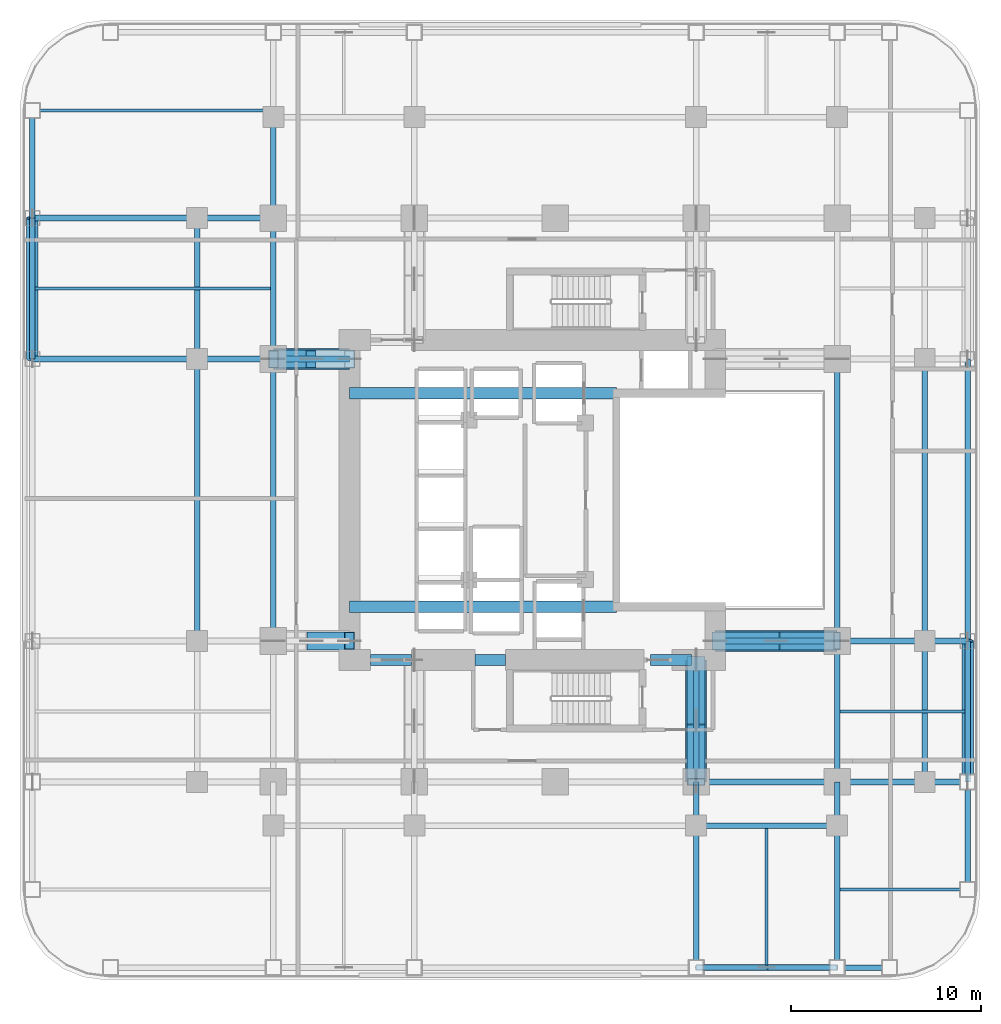
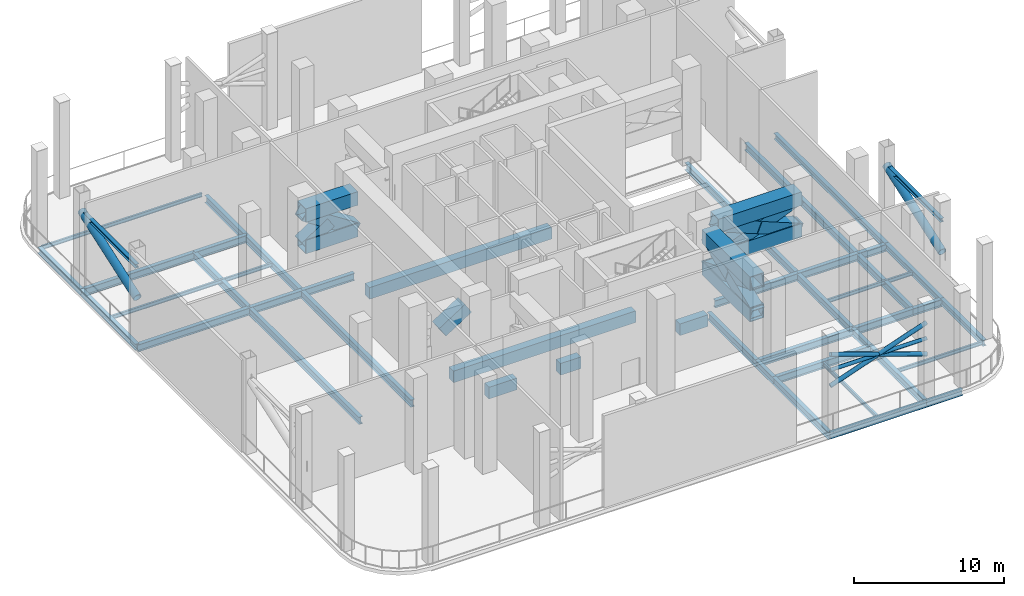
# One storey, part 2 of 11: 43 beams, 23 members.
"""IFC4 building model written with IfcOpenShell, lengths in metres."""

import ifcopenshell
import ifcopenshell.guid

model = None  # the IFC model being written
_history = None  # IfcOwnerHistory: only IFC2X3 demands one
_inside = {}  # id of a spatial element -> (the spatial element, [elements in it])
_under = {}  # id of a project, library or spatial element -> (it, [spatial elements below it])
_declared = {}  # id of a project -> (the project, [libraries it declares])
_typed = {}  # id of a type object -> (the type object, [elements of that type])
_made_of = {}  # id of a material, layer set ... -> (it, [elements and type objects made of it])


def new_model(schema):
    """Start an empty IFC model of exactly this schema.

    Asked for "IFC4X3", IfcOpenShell would pick the latest addendum, in which some entities
    have other attributes; the version numbers below select the first issue.
    IFC2X3 requires an IfcOwnerHistory on every rooted entity: one is made here for all.
    """
    global model, _history
    if schema == "IFC4X3":
        model = ifcopenshell.file(schema_version=(4, 3, 0, 0))
    else:
        model = ifcopenshell.file(schema=schema)
    _inside.clear()
    _under.clear()
    _declared.clear()
    _typed.clear()
    _made_of.clear()
    _history = None
    if model.schema == "IFC2X3":
        org = make("IfcOrganization", Name="unknown")
        user = make(
            "IfcPersonAndOrganization",
            ThePerson=make("IfcPerson", FamilyName="unknown"),
            TheOrganization=org,
        )
        app = make(
            "IfcApplication",
            ApplicationDeveloper=org,
            Version="unknown",
            ApplicationFullName="unknown",
            ApplicationIdentifier="unknown",
        )
        _history = make(
            "IfcOwnerHistory",
            OwningUser=user,
            OwningApplication=app,
            ChangeAction="ADDED",
            CreationDate=0,
        )
    return model


def make(cls, **values):
    """One entity of the class cls with the attributes given. An attribute that is None is left unset."""
    return model.create_entity(
        cls, **{name: value for name, value in values.items() if value is not None}
    )


def rooted(cls, **values):
    """An entity with a GlobalId (a new one), such as an element, a storey or a relation."""
    return make(cls, GlobalId=ifcopenshell.guid.new(), OwnerHistory=_history, **values)


def si_unit(unit_type, name, prefix=None):
    """IfcSIUnit, for example si_unit("LENGTHUNIT", "METRE", prefix="MILLI")."""
    return make("IfcSIUnit", UnitType=unit_type, Prefix=prefix, Name=name)


def assignment(units):
    """IfcUnitAssignment: the units of a project."""
    return None if units is None else make("IfcUnitAssignment", Units=units)


def point(xyz):
    """IfcCartesianPoint."""
    return None if xyz is None else make("IfcCartesianPoint", Coordinates=xyz)


def direction(xyz):
    """IfcDirection."""
    return None if xyz is None else make("IfcDirection", DirectionRatios=xyz)


def frame(location, z_axis=None, x_axis=None):
    """IfcAxis2Placement3D, a coordinate frame: its origin and axes. An axis left out is left unset."""
    return make(
        "IfcAxis2Placement3D",
        Location=point(location),
        Axis=direction(z_axis),
        RefDirection=direction(x_axis),
    )


def frame_2d(location, x_axis=None):
    """IfcAxis2Placement2D, a coordinate frame in the plane: its origin and x axis."""
    return make(
        "IfcAxis2Placement2D", Location=point(location), RefDirection=direction(x_axis)
    )


def origin():
    """The frame at (0, 0, 0) with its axes left unset."""
    return frame((0.0, 0.0, 0.0))


def origin_2d():
    """The frame at (0, 0) in the plane with its x axis left unset."""
    return frame_2d((0.0, 0.0))


def place(relative_to, where):
    """IfcLocalPlacement: puts the frame where relative to a parent placement (None: the world)."""
    return make(
        "IfcLocalPlacement", PlacementRelTo=relative_to, RelativePlacement=where
    )


def context(
    kind, dimensions, precision=None, world=None, true_north=None, identifier=None
):
    """IfcGeometricRepresentationContext, for example the 3D "Model" context."""
    return make(
        "IfcGeometricRepresentationContext",
        ContextIdentifier=identifier,
        ContextType=kind,
        CoordinateSpaceDimension=dimensions,
        Precision=precision,
        WorldCoordinateSystem=world,
        TrueNorth=true_north,
    )


def subcontext(parent, identifier, kind, view, scale=None):
    """IfcGeometricRepresentationSubContext, for example "Body" below "Model"."""
    return make(
        "IfcGeometricRepresentationSubContext",
        ContextIdentifier=identifier,
        ContextType=kind,
        ParentContext=parent,
        TargetScale=scale,
        TargetView=view,
    )


def project(units=None, contexts=None):
    """IfcProject with its units and contexts."""
    return rooted(
        "IfcProject",
        Name="project",
        RepresentationContexts=contexts,
        UnitsInContext=assignment(units),
    )


def spatial(cls, under=None, at=None, **own):
    """A site, building, storey or space (cls), placed at a placement, below another one or the project."""
    s = rooted(cls, ObjectPlacement=at, **own)
    if under is not None:
        _under.setdefault(under.id(), (under, []))[1].append(s)
    return s


def profile(cls, at=None, kind="AREA", **sizes):
    """A parametric profile (cls). Its sizes go by their IFC names, for example OverallWidth=200.0."""
    return make(cls, ProfileType=kind, Position=at, **sizes)


def rectangle(**sizes):
    """IfcRectangleProfileDef."""
    return profile("IfcRectangleProfileDef", **sizes)


def hollow_rectangle(**sizes):
    """IfcRectangleHollowProfileDef."""
    return profile("IfcRectangleHollowProfileDef", **sizes)


def hollow_circle(**sizes):
    """IfcCircleHollowProfileDef."""
    return profile("IfcCircleHollowProfileDef", **sizes)


def i_section(**sizes):
    """IfcIShapeProfileDef."""
    return profile("IfcIShapeProfileDef", **sizes)


def extrude(swept, where, along, depth):
    """IfcExtrudedAreaSolid: the profile swept, set in the frame where, extruded along a direction by depth."""
    return make(
        "IfcExtrudedAreaSolid",
        SweptArea=swept,
        Position=where,
        ExtrudedDirection=direction(along),
        Depth=depth,
    )


def shape(context_of_items, identifier, shape_type, items):
    """IfcShapeRepresentation: the items that make up one representation, for example the "Body"."""
    return make(
        "IfcShapeRepresentation",
        ContextOfItems=context_of_items,
        RepresentationIdentifier=identifier,
        RepresentationType=shape_type,
        Items=items,
    )


def material(Name=None, Category=None):
    """IfcMaterial."""
    return make("IfcMaterial", Name=Name, Category=Category)


def material_profile(
    of_material, cross_section, Name=None, Category=None, Priority=None
):
    """IfcMaterialProfile: a cross section and its material."""
    return make(
        "IfcMaterialProfile",
        Name=Name,
        Material=of_material,
        Profile=cross_section,
        Priority=Priority,
        Category=Category,
    )


def profile_set(profiles, Name=None, composite=None):
    """IfcMaterialProfileSet."""
    return make(
        "IfcMaterialProfileSet",
        Name=Name,
        MaterialProfiles=profiles,
        CompositeProfile=composite,
    )


def made_of(thing, what):
    """Note that an element or type object is made of a material, layer set ...; save() writes the relation."""
    if what is not None:
        _made_of.setdefault(what.id(), (what, []))[1].append(thing)
    return thing


def type_object(cls, material=None, **own):
    """A type object (cls), such as IfcWallType, which elements share."""
    return made_of(rooted(cls, **own), material)


def element(
    cls,
    number,
    at=None,
    inside=None,
    cuts=None,
    type_object=None,
    material=None,
    context=None,
    identifier="Body",
    shape_type=None,
    held_by="IfcProductDefinitionShape",
    body=None,
    shapes=None,
    **own,
):
    """One element of the class cls, such as IfcWall. Its Tag is "e" and its number.

    at: its placement. inside: the storey or other place that contains it. cuts: it is an
    opening in that element (IfcRelVoidsElement). A single representation is given by context,
    identifier, shape_type and body (its items); several are given by shapes. held_by: the class
    of the entity that holds the representations. save() writes the other relations.
    """
    e = rooted(cls, Tag="e%d" % number, ObjectPlacement=at, **own)
    if body is not None:
        shapes = [shape(context, identifier, shape_type, body)]
    if shapes is not None:
        e.Representation = make(held_by, Representations=shapes)
    if inside is not None:
        _inside.setdefault(inside.id(), (inside, []))[1].append(e)
    if cuts is not None:
        rooted(
            "IfcRelVoidsElement", RelatingBuildingElement=cuts, RelatedOpeningElement=e
        )
    if type_object is not None:
        _typed.setdefault(type_object.id(), (type_object, []))[1].append(e)
    return made_of(e, material)


def aggregate(whole, parts):
    """IfcRelAggregates: a whole, such as a stair, and the parts it consists of."""
    return rooted("IfcRelAggregates", RelatingObject=whole, RelatedObjects=parts)


def save(model, path):
    """Write the relations noted so far, then the file.

    IfcRelAggregates (storeys below a building ...), IfcRelContainedInSpatialStructure (elements
    in a storey), IfcRelDefinesByType, IfcRelAssociatesMaterial and IfcRelDeclares: one each for
    every whole, place, type object, material and project.
    """
    for whole, parts in _under.values():
        aggregate(whole, parts)
    for where, things in _inside.values():
        rooted(
            "IfcRelContainedInSpatialStructure",
            RelatedElements=things,
            RelatingStructure=where,
        )
    for kind, things in _typed.values():
        rooted("IfcRelDefinesByType", RelatedObjects=things, RelatingType=kind)
    for what, things in _made_of.values():
        rooted("IfcRelAssociatesMaterial", RelatedObjects=things, RelatingMaterial=what)
    for by, libraries in _declared.values():
        rooted("IfcRelDeclares", RelatingContext=by, RelatedDefinitions=libraries)
    model.write(path)


model = new_model("IFC4")

# Units and contexts
model_context = context("Model", 3, precision=1e-05, world=origin(), true_north=direction((0.0, 1.0)))
body_context = subcontext(model_context, "Body", "Model", "MODEL_VIEW")
ifc_project = project(units=[si_unit("LENGTHUNIT", "METRE"), si_unit("AREAUNIT", "SQUARE_METRE"), si_unit("VOLUMEUNIT", "CUBIC_METRE"), si_unit("PLANEANGLEUNIT", "RADIAN"), si_unit("MASSUNIT", "GRAM", prefix="KILO")], contexts=[model_context])

# Site, building, storey
site_placement = place(None, origin())
site = spatial("IfcSite", under=ifc_project, at=site_placement, CompositionType="ELEMENT")
building_placement = place(site_placement, origin())
building = spatial("IfcBuilding", under=site, at=building_placement, Name="Khorvyn Point Tower", CompositionType="ELEMENT")
storey_placement = place(building_placement, frame((0.0, 0.0, 77.39990234375)))
storey = spatial("IfcBuildingStorey", under=building, at=storey_placement, Name="L20", CompositionType="ELEMENT", Elevation=77.39990234375)

# Beams
ifc_material_1 = material(Name="Concrete C50/60", Category="concrete")
ifc_material_profile_1 = material_profile(ifc_material_1, rectangle(XDim=0.60009765625, YDim=0.949951171875, at=origin_2d()))
ifc_profile_set_1 = profile_set([ifc_material_profile_1], Name="Concrete C50/60 RC600x950")
beam_type_1 = type_object("IfcBeamType", Name="Concrete C50/60 Beam RC600x950", PredefinedType="BEAM", material=ifc_profile_set_1)
for number, where, z_axis, x_axis, name in (
    (1, (-10.800048828125, -5.60009765625, -0.77490234375), (1.0, 0.0, 0.0), (0.0, 1.0, 0.0), "L20 Core Internal Tie Girder S"),
    (2, (-10.800048828125, 5.60009765625, -0.77490234375), (1.0, 0.0, 0.0), (0.0, 1.0, 0.0), "L20 Core Internal Tie Girder N"),
):
    element("IfcBeam", number, at=place(storey_placement, frame(where, z_axis=z_axis, x_axis=x_axis)), inside=storey, type_object=beam_type_1, Name=name, PredefinedType="BEAM", context=body_context, shape_type="SweptSolid", body=[
        extrude(rectangle(XDim=0.60009765625, YDim=0.949951171875, at=origin_2d()), origin(), (0.0, 0.0, 1.0), 14.02001953125),
    ])
beam_1_placement = place(storey_placement, frame((-9.699951171875, -8.39990234375, -0.77490234375), z_axis=(1.0, 0.0, 0.0), x_axis=(0.0, 1.0, 0.0)))
element("IfcBeam", 3, at=beam_1_placement, inside=storey, type_object=beam_type_1, Name="L20 Core Southwest Portal Coupling Beam", PredefinedType="BEAM", context=body_context, shape_type="SweptSolid", body=[
    extrude(rectangle(XDim=0.60009765625, YDim=0.949951171875, at=origin_2d()), origin(), (0.0, 0.0, 1.0), 2.14990234375),
])
beam_2_placement = place(storey_placement, frame((-4.199951171875, -8.39990234375, -0.77490234375), z_axis=(1.0, 0.0, 0.0), x_axis=(0.0, 1.0, 0.0)))
element("IfcBeam", 4, at=beam_2_placement, inside=storey, type_object=beam_type_1, Name="L20 Core Shuttle Portal Coupling Beam", PredefinedType="BEAM", context=body_context, shape_type="SweptSolid", body=[
    extrude(rectangle(XDim=0.60009765625, YDim=0.949951171875, at=origin_2d()), origin(), (0.0, 0.0, 1.0), 1.579833984375),
])
beam_3_placement = place(storey_placement, frame((5.0, -8.39990234375, -0.77490234375), z_axis=(1.0, 0.0, 0.0), x_axis=(0.0, 1.0, 0.0)))
element("IfcBeam", 5, at=beam_3_placement, inside=storey, type_object=beam_type_1, Name="L20 Core Southeast Portal Coupling Beam", PredefinedType="BEAM", context=body_context, shape_type="SweptSolid", body=[
    extrude(rectangle(XDim=0.60009765625, YDim=0.949951171875, at=origin_2d()), origin(), (0.0, 0.0, 1.0), 2.14990234375),
])
ifc_material_2 = material(Name="Steel S355", Category="steel")
ifc_material_profile_2 = material_profile(ifc_material_2, i_section(OverallWidth=0.300048828125, OverallDepth=0.587890625, WebThickness=0.011962890625, FlangeThickness=0.02001953125, at=origin_2d()))
ifc_profile_set_2 = profile_set([ifc_material_profile_2], Name="Steel S355 H588x300x12x20")
beam_type_2 = type_object("IfcBeamType", Name="Steel S355 Beam H588x300x12x20", PredefinedType="BEAM", material=ifc_profile_set_2)
beam_4_placement = place(storey_placement, frame((7.39990234375, -14.800048828125, -0.593994140625), z_axis=(1.0, 0.0, 0.0), x_axis=(0.0, 1.0, 0.0)))
element("IfcBeam", 6, at=beam_4_placement, inside=storey, type_object=beam_type_2, Name="Beam", PredefinedType="BEAM", context=body_context, shape_type="SweptSolid", body=[
    extrude(i_section(OverallWidth=0.300048828125, OverallDepth=0.587890625, WebThickness=0.011962890625, FlangeThickness=0.02001953125, at=origin_2d()), origin(), (0.0, 0.0, 1.0), 7.400146484375),
])
beam_5_placement = place(storey_placement, frame((14.800048828125, -14.800048828125, -0.593994140625), z_axis=(1.0, 0.0, 0.0), x_axis=(0.0, 1.0, 0.0)))
element("IfcBeam", 7, at=beam_5_placement, inside=storey, type_object=beam_type_2, Name="Beam", PredefinedType="BEAM", context=body_context, shape_type="SweptSolid", body=[
    extrude(i_section(OverallWidth=0.300048828125, OverallDepth=0.587890625, WebThickness=0.011962890625, FlangeThickness=0.02001953125, at=origin_2d()), origin(), (0.0, 0.0, 1.0), 4.599853515625),
])
beam_6_placement = place(storey_placement, frame((19.39990234375, -14.800048828125, -0.593994140625), z_axis=(1.0, 0.0, 0.0), x_axis=(0.0, 1.0, 0.0)))
element("IfcBeam", 8, at=beam_6_placement, inside=storey, type_object=beam_type_2, Name="Beam", PredefinedType="BEAM", context=body_context, shape_type="SweptSolid", body=[
    extrude(i_section(OverallWidth=0.300048828125, OverallDepth=0.587890625, WebThickness=0.011962890625, FlangeThickness=0.02001953125, at=origin_2d()), origin(), (0.0, 0.0, 1.0), 2.25),
])
beam_7_placement = place(storey_placement, frame((-27.449951171875, 14.800048828125, -0.593994140625), z_axis=(1.0, 0.0, 0.0), x_axis=(0.0, 1.0, 0.0)))
element("IfcBeam", 9, at=beam_7_placement, inside=storey, type_object=beam_type_2, Name="Beam", PredefinedType="BEAM", context=body_context, shape_type="SweptSolid", body=[
    extrude(i_section(OverallWidth=0.300048828125, OverallDepth=0.587890625, WebThickness=0.011962890625, FlangeThickness=0.02001953125, at=origin_2d()), origin(), (0.0, 0.0, 1.0), 8.64990234375),
])
beam_8_placement = place(storey_placement, frame((-18.800048828125, 14.800048828125, -0.593994140625), z_axis=(1.0, 0.0, 0.0), x_axis=(0.0, 1.0, 0.0)))
element("IfcBeam", 10, at=beam_8_placement, inside=storey, type_object=beam_type_2, Name="Beam", PredefinedType="BEAM", context=body_context, shape_type="SweptSolid", body=[
    extrude(i_section(OverallWidth=0.300048828125, OverallDepth=0.587890625, WebThickness=0.011962890625, FlangeThickness=0.02001953125, at=origin_2d()), origin(), (0.0, 0.0, 1.0), 4.0),
])
beam_9_placement = place(storey_placement, frame((8.39990234375, -7.39990234375, -0.593994140625), z_axis=(1.0, 0.0, 0.0), x_axis=(0.0, 1.0, 0.0)))
element("IfcBeam", 11, at=beam_9_placement, inside=storey, type_object=beam_type_2, Name="Beam", PredefinedType="BEAM", context=body_context, shape_type="SweptSolid", body=[
    extrude(i_section(OverallWidth=0.300048828125, OverallDepth=0.587890625, WebThickness=0.011962890625, FlangeThickness=0.02001953125, at=origin_2d()), origin(), (0.0, 0.0, 1.0), 6.400146484375),
])
beam_10_placement = place(storey_placement, frame((14.800048828125, -7.39990234375, -0.593994140625), z_axis=(1.0, 0.0, 0.0), x_axis=(0.0, 1.0, 0.0)))
element("IfcBeam", 12, at=beam_10_placement, inside=storey, type_object=beam_type_2, Name="Beam", PredefinedType="BEAM", context=body_context, shape_type="SweptSolid", body=[
    extrude(i_section(OverallWidth=0.300048828125, OverallDepth=0.587890625, WebThickness=0.011962890625, FlangeThickness=0.02001953125, at=origin_2d()), origin(), (0.0, 0.0, 1.0), 4.599853515625),
])
beam_11_placement = place(storey_placement, frame((19.39990234375, -7.39990234375, -0.593994140625), z_axis=(1.0, 0.0, 0.0), x_axis=(0.0, 1.0, 0.0)))
element("IfcBeam", 13, at=beam_11_placement, inside=storey, type_object=beam_type_2, Name="Beam", PredefinedType="BEAM", context=body_context, shape_type="SweptSolid", body=[
    extrude(i_section(OverallWidth=0.300048828125, OverallDepth=0.587890625, WebThickness=0.011962890625, FlangeThickness=0.02001953125, at=origin_2d()), origin(), (0.0, 0.0, 1.0), 2.25),
])
beam_12_placement = place(storey_placement, frame((-27.449951171875, 7.39990234375, -0.593994140625), z_axis=(1.0, 0.0, 0.0), x_axis=(0.0, 1.0, 0.0)))
element("IfcBeam", 14, at=beam_12_placement, inside=storey, type_object=beam_type_2, Name="Beam", PredefinedType="BEAM", context=body_context, shape_type="SweptSolid", body=[
    extrude(i_section(OverallWidth=0.300048828125, OverallDepth=0.587890625, WebThickness=0.011962890625, FlangeThickness=0.02001953125, at=origin_2d()), origin(), (0.0, 0.0, 1.0), 8.64990234375),
])
for number, where, z_axis, x_axis, name in (
    (15, (-18.800048828125, 7.39990234375, -0.593994140625), (1.0, 0.0, 0.0), (0.0, 1.0, 0.0), "Beam"),
    (16, (-14.800048828125, 7.39990234375, -0.593994140625), (1.0, 0.0, 0.0), (0.0, 1.0, 0.0), "Beam"),
):
    element("IfcBeam", number, at=place(storey_placement, frame(where, z_axis=z_axis, x_axis=x_axis)), inside=storey, type_object=beam_type_2, Name=name, PredefinedType="BEAM", context=body_context, shape_type="SweptSolid", body=[
        extrude(i_section(OverallWidth=0.300048828125, OverallDepth=0.587890625, WebThickness=0.011962890625, FlangeThickness=0.02001953125, at=origin_2d()), origin(), (0.0, 0.0, 1.0), 4.0),
    ])
beam_13_placement = place(storey_placement, frame((7.39990234375, -17.10009765625, -0.593994140625), z_axis=(1.0, 0.0, 0.0), x_axis=(0.0, 1.0, 0.0)))
element("IfcBeam", 17, at=beam_13_placement, inside=storey, type_object=beam_type_2, Name="Beam", PredefinedType="BEAM", context=body_context, shape_type="SweptSolid", body=[
    extrude(i_section(OverallWidth=0.300048828125, OverallDepth=0.587890625, WebThickness=0.011962890625, FlangeThickness=0.02001953125, at=origin_2d()), origin(), (0.0, 0.0, 1.0), 7.400146484375),
])
beam_14_placement = place(storey_placement, frame((-14.800048828125, -7.39990234375, -0.593994140625), z_axis=(0.0, 1.0, 0.0), x_axis=(-1.0, 0.0, 0.0)))
element("IfcBeam", 18, at=beam_14_placement, inside=storey, type_object=beam_type_2, Name="Beam", PredefinedType="BEAM", context=body_context, shape_type="SweptSolid", body=[
    extrude(i_section(OverallWidth=0.300048828125, OverallDepth=0.587890625, WebThickness=0.011962890625, FlangeThickness=0.02001953125, at=origin_2d()), origin(), (0.0, 0.0, 1.0), 14.7998046875),
])
beam_15_placement = place(storey_placement, frame((-14.800048828125, 7.39990234375, -0.593994140625), z_axis=(0.0, 1.0, 0.0), x_axis=(-1.0, 0.0, 0.0)))
element("IfcBeam", 19, at=beam_15_placement, inside=storey, type_object=beam_type_2, Name="Beam", PredefinedType="BEAM", context=body_context, shape_type="SweptSolid", body=[
    extrude(i_section(OverallWidth=0.300048828125, OverallDepth=0.587890625, WebThickness=0.011962890625, FlangeThickness=0.02001953125, at=origin_2d()), origin(), (0.0, 0.0, 1.0), 7.400146484375),
])
beam_16_placement = place(storey_placement, frame((-14.800048828125, 14.800048828125, -0.593994140625), z_axis=(0.0, 1.0, 0.0), x_axis=(-1.0, 0.0, 0.0)))
element("IfcBeam", 20, at=beam_16_placement, inside=storey, type_object=beam_type_2, Name="Beam", PredefinedType="BEAM", context=body_context, shape_type="SweptSolid", body=[
    extrude(i_section(OverallWidth=0.300048828125, OverallDepth=0.587890625, WebThickness=0.011962890625, FlangeThickness=0.02001953125, at=origin_2d()), origin(), (0.0, 0.0, 1.0), 5.300048828125),
])
beam_17_placement = place(storey_placement, frame((14.800048828125, -24.550048828125, -0.593994140625), z_axis=(0.0, 1.0, 0.0), x_axis=(-1.0, 0.0, 0.0)))
element("IfcBeam", 21, at=beam_17_placement, inside=storey, type_object=beam_type_2, Name="Beam", PredefinedType="BEAM", context=body_context, shape_type="SweptSolid", body=[
    extrude(i_section(OverallWidth=0.300048828125, OverallDepth=0.587890625, WebThickness=0.011962890625, FlangeThickness=0.02001953125, at=origin_2d()), origin(), (0.0, 0.0, 1.0), 7.449951171875),
])
beam_18_placement = place(storey_placement, frame((14.800048828125, -17.10009765625, -0.593994140625), z_axis=(0.0, 1.0, 0.0), x_axis=(-1.0, 0.0, 0.0)))
element("IfcBeam", 22, at=beam_18_placement, inside=storey, type_object=beam_type_2, Name="Beam", PredefinedType="BEAM", context=body_context, shape_type="SweptSolid", body=[
    extrude(i_section(OverallWidth=0.300048828125, OverallDepth=0.587890625, WebThickness=0.011962890625, FlangeThickness=0.02001953125, at=origin_2d()), origin(), (0.0, 0.0, 1.0), 2.300048828125),
])
beam_19_placement = place(storey_placement, frame((14.800048828125, -14.800048828125, -0.593994140625), z_axis=(0.0, 1.0, 0.0), x_axis=(-1.0, 0.0, 0.0)))
element("IfcBeam", 23, at=beam_19_placement, inside=storey, type_object=beam_type_2, Name="Beam", PredefinedType="BEAM", context=body_context, shape_type="SweptSolid", body=[
    extrude(i_section(OverallWidth=0.300048828125, OverallDepth=0.587890625, WebThickness=0.011962890625, FlangeThickness=0.02001953125, at=origin_2d()), origin(), (0.0, 0.0, 1.0), 7.400146484375),
])
beam_20_placement = place(storey_placement, frame((14.800048828125, -7.39990234375, -0.593994140625), z_axis=(0.0, 1.0, 0.0), x_axis=(-1.0, 0.0, 0.0)))
element("IfcBeam", 24, at=beam_20_placement, inside=storey, type_object=beam_type_2, Name="Beam", PredefinedType="BEAM", context=body_context, shape_type="SweptSolid", body=[
    extrude(i_section(OverallWidth=0.300048828125, OverallDepth=0.587890625, WebThickness=0.011962890625, FlangeThickness=0.02001953125, at=origin_2d()), origin(), (0.0, 0.0, 1.0), 14.7998046875),
])
beam_21_placement = place(storey_placement, frame((7.39990234375, -24.550048828125, -0.593994140625), z_axis=(0.0, 1.0, 0.0), x_axis=(-1.0, 0.0, 0.0)))
element("IfcBeam", 25, at=beam_21_placement, inside=storey, type_object=beam_type_2, Name="Beam", PredefinedType="BEAM", context=body_context, shape_type="SweptSolid", body=[
    extrude(i_section(OverallWidth=0.300048828125, OverallDepth=0.587890625, WebThickness=0.011962890625, FlangeThickness=0.02001953125, at=origin_2d()), origin(), (0.0, 0.0, 1.0), 7.449951171875),
])
beam_22_placement = place(storey_placement, frame((7.39990234375, -17.10009765625, -0.593994140625), z_axis=(0.0, 1.0, 0.0), x_axis=(-1.0, 0.0, 0.0)))
element("IfcBeam", 26, at=beam_22_placement, inside=storey, type_object=beam_type_2, Name="Beam", PredefinedType="BEAM", context=body_context, shape_type="SweptSolid", body=[
    extrude(i_section(OverallWidth=0.300048828125, OverallDepth=0.587890625, WebThickness=0.011962890625, FlangeThickness=0.02001953125, at=origin_2d()), origin(), (0.0, 0.0, 1.0), 2.300048828125),
])
beam_23_placement = place(storey_placement, frame((7.39990234375, -14.800048828125, -0.593994140625), z_axis=(0.0, 1.0, 0.0), x_axis=(-1.0, 0.0, 0.0)))
element("IfcBeam", 27, at=beam_23_placement, inside=storey, type_object=beam_type_2, Name="Beam", PredefinedType="BEAM", context=body_context, shape_type="SweptSolid", body=[
    extrude(i_section(OverallWidth=0.300048828125, OverallDepth=0.587890625, WebThickness=0.011962890625, FlangeThickness=0.02001953125, at=origin_2d()), origin(), (0.0, 0.0, 1.0), 6.400146484375),
])
beam_24_placement = place(storey_placement, frame((-18.800048828125, -7.39990234375, -0.593994140625), z_axis=(0.0, 1.0, 0.0), x_axis=(-1.0, 0.0, 0.0)))
element("IfcBeam", 28, at=beam_24_placement, inside=storey, type_object=beam_type_2, Name="Beam", PredefinedType="BEAM", context=body_context, shape_type="SweptSolid", body=[
    extrude(i_section(OverallWidth=0.300048828125, OverallDepth=0.587890625, WebThickness=0.011962890625, FlangeThickness=0.02001953125, at=origin_2d()), origin(), (0.0, 0.0, 1.0), 14.7998046875),
])
for number, where, z_axis, x_axis, name in (
    (29, (-18.800048828125, 7.39990234375, -0.593994140625), (0.0, 1.0, 0.0), (-1.0, 0.0, 0.0), "Beam"),
    (30, (19.39990234375, -14.800048828125, -0.593994140625), (0.0, 1.0, 0.0), (-1.0, 0.0, 0.0), "Beam"),
):
    element("IfcBeam", number, at=place(storey_placement, frame(where, z_axis=z_axis, x_axis=x_axis)), inside=storey, type_object=beam_type_2, Name=name, PredefinedType="BEAM", context=body_context, shape_type="SweptSolid", body=[
        extrude(i_section(OverallWidth=0.300048828125, OverallDepth=0.587890625, WebThickness=0.011962890625, FlangeThickness=0.02001953125, at=origin_2d()), origin(), (0.0, 0.0, 1.0), 7.400146484375),
    ])
beam_25_placement = place(storey_placement, frame((19.39990234375, -7.39990234375, -0.593994140625), z_axis=(0.0, 1.0, 0.0), x_axis=(-1.0, 0.0, 0.0)))
element("IfcBeam", 31, at=beam_25_placement, inside=storey, type_object=beam_type_2, Name="Beam", PredefinedType="BEAM", context=body_context, shape_type="SweptSolid", body=[
    extrude(i_section(OverallWidth=0.300048828125, OverallDepth=0.587890625, WebThickness=0.011962890625, FlangeThickness=0.02001953125, at=origin_2d()), origin(), (0.0, 0.0, 1.0), 14.7998046875),
])
ifc_material_profile_3 = material_profile(ifc_material_2, i_section(OverallWidth=0.14990234375, OverallDepth=0.300048828125, WebThickness=0.006591796875, FlangeThickness=0.009033203125, at=origin_2d()))
ifc_profile_set_3 = profile_set([ifc_material_profile_3], Name="Steel S355 H300x150x6.5x9")
beam_type_3 = type_object("IfcBeamType", Name="Steel S355 Joist H300x150x6.5x9", PredefinedType="JOIST", material=ifc_profile_set_3)
beam_26_placement = place(storey_placement, frame((14.949951171875, -11.10009765625, -0.449951171875), z_axis=(1.0, 0.0, 0.0), x_axis=(0.0, 1.0, 0.0)))
element("IfcBeam", 32, at=beam_26_placement, inside=storey, type_object=beam_type_3, Name="Beam", PredefinedType="JOIST", context=body_context, shape_type="SweptSolid", body=[
    extrude(i_section(OverallWidth=0.14990234375, OverallDepth=0.300048828125, WebThickness=0.006591796875, FlangeThickness=0.009033203125, at=origin_2d()), origin(), (0.0, 0.0, 1.0), 6.550048828125),
])
beam_27_placement = place(storey_placement, frame((-27.300048828125, 11.10009765625, -0.449951171875), z_axis=(1.0, 0.0, 0.0), x_axis=(0.0, 1.0, 0.0)))
element("IfcBeam", 33, at=beam_27_placement, inside=storey, type_object=beam_type_3, Name="Beam", PredefinedType="JOIST", context=body_context, shape_type="SweptSolid", body=[
    extrude(i_section(OverallWidth=0.14990234375, OverallDepth=0.300048828125, WebThickness=0.006591796875, FlangeThickness=0.009033203125, at=origin_2d()), origin(), (0.0, 0.0, 1.0), 12.35009765625),
])
beam_28_placement = place(storey_placement, frame((11.10009765625, -24.39990234375, -0.449951171875), z_axis=(0.0, 1.0, 0.0), x_axis=(-1.0, 0.0, 0.0)))
element("IfcBeam", 34, at=beam_28_placement, inside=storey, type_object=beam_type_3, Name="Beam", PredefinedType="JOIST", context=body_context, shape_type="SweptSolid", body=[
    extrude(i_section(OverallWidth=0.14990234375, OverallDepth=0.300048828125, WebThickness=0.006591796875, FlangeThickness=0.009033203125, at=origin_2d()), origin(), (0.0, 0.0, 1.0), 7.14990234375),
])
beam_29_placement = place(storey_placement, frame((14.949951171875, -20.449951171875, -0.449951171875), z_axis=(1.0, 0.0, 0.0), x_axis=(0.0, 1.0, 0.0)))
element("IfcBeam", 35, at=beam_29_placement, inside=storey, type_object=beam_type_3, Name="Beam", PredefinedType="JOIST", context=body_context, shape_type="SweptSolid", body=[
    extrude(i_section(OverallWidth=0.14990234375, OverallDepth=0.300048828125, WebThickness=0.006591796875, FlangeThickness=0.009033203125, at=origin_2d()), origin(), (0.0, 0.0, 1.0), 6.550048828125),
])
beam_30_placement = place(storey_placement, frame((-27.300048828125, 20.449951171875, -0.449951171875), z_axis=(1.0, 0.0, 0.0), x_axis=(0.0, 1.0, 0.0)))
element("IfcBeam", 36, at=beam_30_placement, inside=storey, type_object=beam_type_3, Name="Beam", PredefinedType="JOIST", context=body_context, shape_type="SweptSolid", body=[
    extrude(i_section(OverallWidth=0.14990234375, OverallDepth=0.300048828125, WebThickness=0.006591796875, FlangeThickness=0.009033203125, at=origin_2d()), origin(), (0.0, 0.0, 1.0), 12.35009765625),
])
ifc_material_profile_4 = material_profile(ifc_material_2, i_section(OverallWidth=0.300048828125, OverallDepth=0.488037109375, WebThickness=0.010986328125, FlangeThickness=0.01806640625, at=origin_2d()))
ifc_profile_set_4 = profile_set([ifc_material_profile_4], Name="Steel S355 H488x300x11x18")
beam_type_4 = type_object("IfcBeamType", Name="Steel S355 Spandrel H488x300x11x18", PredefinedType="SPANDREL", material=ifc_profile_set_4)
beam_31_placement = place(storey_placement, frame((7.39990234375, -24.550048828125, -0.5439453125), z_axis=(1.0, 0.0, 0.0), x_axis=(0.0, 1.0, 0.0)))
element("IfcBeam", 37, at=beam_31_placement, inside=storey, type_object=beam_type_4, Name="Beam", PredefinedType="SPANDREL", context=body_context, shape_type="SweptSolid", body=[
    extrude(i_section(OverallWidth=0.300048828125, OverallDepth=0.488037109375, WebThickness=0.010986328125, FlangeThickness=0.01806640625, at=origin_2d()), origin(), (0.0, 0.0, 1.0), 7.400146484375),
])
beam_32_placement = place(storey_placement, frame((14.800048828125, -24.550048828125, -0.5439453125), z_axis=(1.0, 0.0, 0.0), x_axis=(0.0, 1.0, 0.0)))
element("IfcBeam", 38, at=beam_32_placement, inside=storey, type_object=beam_type_4, Name="Beam", PredefinedType="SPANDREL", context=body_context, shape_type="SweptSolid", body=[
    extrude(i_section(OverallWidth=0.300048828125, OverallDepth=0.488037109375, WebThickness=0.010986328125, FlangeThickness=0.01806640625, at=origin_2d()), origin(), (0.0, 0.0, 1.0), 2.75),
])
beam_33_placement = place(storey_placement, frame((-27.449951171875, 7.39990234375, -0.5439453125), z_axis=(0.0, 1.0, 0.0), x_axis=(-1.0, 0.0, 0.0)))
element("IfcBeam", 39, at=beam_33_placement, inside=storey, type_object=beam_type_4, Name="Beam", PredefinedType="SPANDREL", context=body_context, shape_type="SweptSolid", body=[
    extrude(i_section(OverallWidth=0.300048828125, OverallDepth=0.488037109375, WebThickness=0.010986328125, FlangeThickness=0.01806640625, at=origin_2d()), origin(), (0.0, 0.0, 1.0), 7.400146484375),
])
for number, where, z_axis, x_axis, name in (
    (40, (-27.449951171875, 14.800048828125, -0.5439453125), (0.0, 1.0, 0.0), (-1.0, 0.0, 0.0), "Beam"),
    (41, (21.64990234375, -20.449951171875, -0.5439453125), (0.0, 1.0, 0.0), (-1.0, 0.0, 0.0), "Beam"),
):
    element("IfcBeam", number, at=place(storey_placement, frame(where, z_axis=z_axis, x_axis=x_axis)), inside=storey, type_object=beam_type_4, Name=name, PredefinedType="SPANDREL", context=body_context, shape_type="SweptSolid", body=[
        extrude(i_section(OverallWidth=0.300048828125, OverallDepth=0.488037109375, WebThickness=0.010986328125, FlangeThickness=0.01806640625, at=origin_2d()), origin(), (0.0, 0.0, 1.0), 5.64990234375),
    ])
beam_34_placement = place(storey_placement, frame((21.64990234375, -14.800048828125, -0.5439453125), z_axis=(0.0, 1.0, 0.0), x_axis=(-1.0, 0.0, 0.0)))
element("IfcBeam", 42, at=beam_34_placement, inside=storey, type_object=beam_type_4, Name="Beam", PredefinedType="SPANDREL", context=body_context, shape_type="SweptSolid", body=[
    extrude(i_section(OverallWidth=0.300048828125, OverallDepth=0.488037109375, WebThickness=0.010986328125, FlangeThickness=0.01806640625, at=origin_2d()), origin(), (0.0, 0.0, 1.0), 7.400146484375),
])
beam_35_placement = place(storey_placement, frame((21.64990234375, -7.39990234375, -0.5439453125), z_axis=(0.0, 1.0, 0.0), x_axis=(-1.0, 0.0, 0.0)))
element("IfcBeam", 43, at=beam_35_placement, inside=storey, type_object=beam_type_4, Name="Beam", PredefinedType="SPANDREL", context=body_context, shape_type="SweptSolid", body=[
    extrude(i_section(OverallWidth=0.300048828125, OverallDepth=0.488037109375, WebThickness=0.010986328125, FlangeThickness=0.01806640625, at=origin_2d()), origin(), (0.0, 0.0, 1.0), 14.7998046875),
])

# Members
ifc_material_profile_5 = material_profile(ifc_material_2, hollow_circle(Radius=0.161865234375, WallThickness=0.012451171875, at=origin_2d()))
ifc_profile_set_5 = profile_set([ifc_material_profile_5], Name="Steel S355 CHS323.9x12.5")
member_type_1 = type_object("IfcMemberType", Name="Steel S355 Truss Brace CHS323.9x12.5", PredefinedType="BRACE", material=ifc_profile_set_5)
member_1_placement = place(storey_placement, frame((7.39990234375, -24.550048828125, 3.4501953125), z_axis=(0.944660653233, 0.0, 0.328049158257), x_axis=(0.0, 1.0, 0.0)))
element("IfcMember", 44, at=member_1_placement, inside=storey, type_object=member_type_1, Name="BT-BR1-L20-S2", PredefinedType="BRACE", context=body_context, shape_type="SweptSolid", body=[
    extrude(hollow_circle(Radius=0.161865234375, WallThickness=0.012451171875, at=origin_2d()), origin(), (0.0, 0.0, 1.0), 7.833740234375),
])
member_2_placement = place(storey_placement, frame((7.39990234375, -24.550048828125, 6.02001953125), z_axis=(0.944907048433, 0.0, -0.3273387692), x_axis=(0.0, 1.0, 0.0)))
element("IfcMember", 45, at=member_2_placement, inside=storey, type_object=member_type_1, Name="BT-BR2A-L20-S2", PredefinedType="BRACE", context=body_context, shape_type="SweptSolid", body=[
    extrude(hollow_circle(Radius=0.161865234375, WallThickness=0.012451171875, at=origin_2d()), origin(), (0.0, 0.0, 1.0), 3.894775390625),
])
member_3_placement = place(storey_placement, frame((11.1201171875, -24.550048828125, 4.72509765625), z_axis=(0.944900331144, 0.0, -0.327358158909), x_axis=(0.0, 1.0, 0.0)))
element("IfcMember", 46, at=member_3_placement, inside=storey, type_object=member_type_1, Name="BT-BR2B-L20-S2", PredefinedType="BRACE", context=body_context, shape_type="SweptSolid", body=[
    extrude(hollow_circle(Radius=0.161865234375, WallThickness=0.012451171875, at=origin_2d()), origin(), (0.0, 0.0, 1.0), 3.89453125),
])
ifc_material_profile_6 = material_profile(ifc_material_2, hollow_circle(Radius=0.136474609375, WallThickness=0.010009765625, at=origin_2d()))
ifc_profile_set_6 = profile_set([ifc_material_profile_6], Name="Steel S355 CHS273x10")
member_type_2 = type_object("IfcMemberType", Name="Steel S355 Truss Chord CHS273x10", PredefinedType="CHORD", material=ifc_profile_set_6)
member_4_placement = place(storey_placement, frame((7.39990234375, -24.550048828125, 4.735107421875), z_axis=(1.0, 0.0, 0.0), x_axis=(0.0, 1.0, 0.0)))
element("IfcMember", 47, at=member_4_placement, inside=storey, type_object=member_type_2, Name="L20 Belt Truss Chord", PredefinedType="CHORD", context=body_context, shape_type="SweptSolid", body=[
    extrude(hollow_circle(Radius=0.136474609375, WallThickness=0.010009765625, at=origin_2d()), origin(), (0.0, 0.0, 1.0), 7.400146484375),
])
ifc_material_profile_7 = material_profile(ifc_material_2, i_section(OverallWidth=0.300048828125, OverallDepth=0.300048828125, WebThickness=0.010009765625, FlangeThickness=0.014892578125, at=origin_2d()))
ifc_profile_set_7 = profile_set([ifc_material_profile_7], Name="Steel S355 H300x300x10x15")
member_type_3 = type_object("IfcMemberType", Name="Steel S355 Truss Chord H300x300x10x15", PredefinedType="CHORD", material=ifc_profile_set_7)
for number, where, z_axis, x_axis, name in (
    (48, (21.64990234375, -14.800048828125, 6.02001953125), (0.0, 1.0, 0.0), (-1.0, 0.0, 0.0), "EXO-CH1-L20-E1"),
    (49, (-27.449951171875, 7.39990234375, 6.02001953125), (0.0, 1.0, 0.0), (-1.0, 0.0, 0.0), "EXO-CH1-L20-W2"),
):
    element("IfcMember", number, at=place(storey_placement, frame(where, z_axis=z_axis, x_axis=x_axis)), inside=storey, type_object=member_type_3, Name=name, PredefinedType="CHORD", context=body_context, shape_type="SweptSolid", body=[
        extrude(i_section(OverallWidth=0.300048828125, OverallDepth=0.300048828125, WebThickness=0.010009765625, FlangeThickness=0.014892578125, at=origin_2d()), origin(), (0.0, 0.0, 1.0), 7.400146484375),
    ])
ifc_material_3 = material(Name="Steel S450", Category="steel")
ifc_material_profile_8 = material_profile(ifc_material_3, hollow_rectangle(XDim=0.949951171875, YDim=0.949951171875, WallThickness=0.0400390625, at=origin_2d()))
ifc_profile_set_8 = profile_set([ifc_material_profile_8], Name="Steel S450 BOX950x950x40")
member_type_4 = type_object("IfcMemberType", Name="Steel S450 Truss Brace BOX950x950x40", PredefinedType="BRACE", material=ifc_profile_set_8)
member_5_placement = place(storey_placement, frame((-10.800048828125, -7.39990234375, 6.02001953125), z_axis=(-0.841323756348, 0.0, -0.540531531925), x_axis=(0.0, -1.0, 0.0)))
element("IfcMember", 50, at=member_5_placement, inside=storey, type_object=member_type_4, Name="OT-BR2A-L20-WS", PredefinedType="BRACE", context=body_context, shape_type="SweptSolid", body=[
    extrude(hollow_rectangle(XDim=0.949951171875, YDim=0.949951171875, WallThickness=0.0400390625, at=origin_2d()), origin(), (0.0, 0.0, 1.0), 2.347412109375),
])
member_6_placement = place(storey_placement, frame((-10.800048828125, 7.39990234375, 3.4501953125), z_axis=(-0.841331937821, 0.0, 0.540518797455), x_axis=(0.0, -1.0, 0.0)))
element("IfcMember", 51, at=member_6_placement, inside=storey, type_object=member_type_4, Name="OT-BR1-L20-WN", PredefinedType="BRACE", context=body_context, shape_type="SweptSolid", body=[
    extrude(hollow_rectangle(XDim=0.949951171875, YDim=0.949951171875, WallThickness=0.0400390625, at=origin_2d()), origin(), (0.0, 0.0, 1.0), 4.75439453125),
])
member_7_placement = place(storey_placement, frame((-12.824951171875, 7.39990234375, 4.718994140625), z_axis=(-0.841354140938, 0.0, -0.54048423615), x_axis=(0.0, -1.0, 0.0)))
element("IfcMember", 52, at=member_7_placement, inside=storey, type_object=member_type_4, Name="OT-BR2B-L20-WN", PredefinedType="BRACE", context=body_context, shape_type="SweptSolid", body=[
    extrude(hollow_rectangle(XDim=0.949951171875, YDim=0.949951171875, WallThickness=0.0400390625, at=origin_2d()), origin(), (0.0, 0.0, 1.0), 2.347412109375),
])
member_8_placement = place(storey_placement, frame((8.39990234375, -7.39990234375, 3.4501953125), z_axis=(0.927987624928, 0.0, 0.372611014304), x_axis=(0.0, 1.0, 0.0)))
element("IfcMember", 53, at=member_8_placement, inside=storey, type_object=member_type_4, Name="OT-BR1-L20-ES", PredefinedType="BRACE", context=body_context, shape_type="SweptSolid", body=[
    extrude(hollow_rectangle(XDim=0.949951171875, YDim=0.949951171875, WallThickness=0.0400390625, at=origin_2d()), origin(), (0.0, 0.0, 1.0), 6.896728515625),
])
for number, where, z_axis, x_axis, name in (
    (54, (8.39990234375, -7.39990234375, 6.02001953125), (0.927983765993, 0.0, -0.372620624838), (0.0, 1.0, 0.0), "OT-BR2A-L20-ES"),
    (55, (11.625, -7.39990234375, 4.72509765625), (0.927983765993, 0.0, -0.372620624838), (0.0, 1.0, 0.0), "OT-BR2B-L20-ES"),
):
    element("IfcMember", number, at=place(storey_placement, frame(where, z_axis=z_axis, x_axis=x_axis)), inside=storey, type_object=member_type_4, Name=name, PredefinedType="BRACE", context=body_context, shape_type="SweptSolid", body=[
        extrude(hollow_rectangle(XDim=0.949951171875, YDim=0.949951171875, WallThickness=0.0400390625, at=origin_2d()), origin(), (0.0, 0.0, 1.0), 3.42138671875),
    ])
member_9_placement = place(storey_placement, frame((7.39990234375, -8.39990234375, 3.4501953125), z_axis=(0.0, -0.927987624928, 0.372611014304), x_axis=(1.0, 0.0, 0.0)))
element("IfcMember", 56, at=member_9_placement, inside=storey, type_object=member_type_4, Name="OT-BR1-L20-SE", PredefinedType="BRACE", context=body_context, shape_type="SweptSolid", body=[
    extrude(hollow_rectangle(XDim=0.949951171875, YDim=0.949951171875, WallThickness=0.0400390625, at=origin_2d()), origin(), (0.0, 0.0, 1.0), 6.896728515625),
])
for number, where, z_axis, x_axis, name in (
    (57, (7.39990234375, -8.39990234375, 6.02001953125), (0.0, -0.927983765993, -0.372620624838), (1.0, 0.0, 0.0), "OT-BR2A-L20-SE"),
    (58, (7.39990234375, -11.625, 4.72509765625), (0.0, -0.927983765993, -0.372620624838), (1.0, 0.0, 0.0), "OT-BR2B-L20-SE"),
):
    element("IfcMember", number, at=place(storey_placement, frame(where, z_axis=z_axis, x_axis=x_axis)), inside=storey, type_object=member_type_4, Name=name, PredefinedType="BRACE", context=body_context, shape_type="SweptSolid", body=[
        extrude(hollow_rectangle(XDim=0.949951171875, YDim=0.949951171875, WallThickness=0.0400390625, at=origin_2d()), origin(), (0.0, 0.0, 1.0), 3.42138671875),
    ])
ifc_material_profile_9 = material_profile(ifc_material_3, hollow_circle(Radius=0.3046875, WallThickness=0.02490234375, at=origin_2d()))
ifc_profile_set_9 = profile_set([ifc_material_profile_9], Name="Steel S450 CHS609.6x25")
member_type_5 = type_object("IfcMemberType", Name="Steel S450 Truss Brace CHS609.6x25", PredefinedType="BRACE", material=ifc_profile_set_9)
for number, where, z_axis, x_axis, name in (
    (59, (21.64990234375, -14.800048828125, 3.4501953125), (0.0, 0.944660653233, 0.328049158257), (-1.0, 0.0, 0.0), "EXO-BR1-L20-E1"),
    (60, (-27.449951171875, 7.39990234375, 3.4501953125), (0.0, 0.944660653233, 0.328049158257), (-1.0, 0.0, 0.0), "EXO-BR1-L20-W2"),
):
    element("IfcMember", number, at=place(storey_placement, frame(where, z_axis=z_axis, x_axis=x_axis)), inside=storey, type_object=member_type_5, Name=name, PredefinedType="BRACE", context=body_context, shape_type="SweptSolid", body=[
        extrude(hollow_circle(Radius=0.3046875, WallThickness=0.02490234375, at=origin_2d()), origin(), (0.0, 0.0, 1.0), 7.833740234375),
    ])
ifc_material_profile_10 = material_profile(ifc_material_3, hollow_rectangle(XDim=1.10009765625, YDim=1.10009765625, WallThickness=0.044921875, at=origin_2d()))
ifc_profile_set_10 = profile_set([ifc_material_profile_10], Name="Steel S450 BOX1100x1100x45")
member_type_6 = type_object("IfcMemberType", Name="Steel S450 Truss Chord BOX1100x1100x45", PredefinedType="CHORD", material=ifc_profile_set_10)
for number, where, z_axis, x_axis, name in (
    (61, (-10.800048828125, 7.39990234375, 3.4501953125), (-1.0, 0.0, 0.0), (0.0, -1.0, 0.0), "L20 Outrigger Truss Chord"),
    (62, (-10.800048828125, 7.39990234375, 6.02001953125), (-1.0, 0.0, 0.0), (0.0, -1.0, 0.0), "L20 Outrigger Truss Chord"),
):
    element("IfcMember", number, at=place(storey_placement, frame(where, z_axis=z_axis, x_axis=x_axis)), inside=storey, type_object=member_type_6, Name=name, PredefinedType="CHORD", context=body_context, shape_type="SweptSolid", body=[
        extrude(hollow_rectangle(XDim=1.10009765625, YDim=1.10009765625, WallThickness=0.044921875, at=origin_2d()), origin(), (0.0, 0.0, 1.0), 4.0),
    ])
for number, where, z_axis, x_axis, name in (
    (63, (8.39990234375, -7.39990234375, 3.4501953125), (1.0, 0.0, 0.0), (0.0, 1.0, 0.0), "L20 Outrigger Truss Chord"),
    (64, (8.39990234375, -7.39990234375, 6.02001953125), (1.0, 0.0, 0.0), (0.0, 1.0, 0.0), "L20 Outrigger Truss Chord"),
    (65, (7.39990234375, -8.39990234375, 3.4501953125), (0.0, -1.0, 0.0), (1.0, 0.0, 0.0), "L20 Outrigger Truss Chord"),
    (66, (7.39990234375, -8.39990234375, 6.02001953125), (0.0, -1.0, 0.0), (1.0, 0.0, 0.0), "L20 Outrigger Truss Chord"),
):
    element("IfcMember", number, at=place(storey_placement, frame(where, z_axis=z_axis, x_axis=x_axis)), inside=storey, type_object=member_type_6, Name=name, PredefinedType="CHORD", context=body_context, shape_type="SweptSolid", body=[
        extrude(hollow_rectangle(XDim=1.10009765625, YDim=1.10009765625, WallThickness=0.044921875, at=origin_2d()), origin(), (0.0, 0.0, 1.0), 6.400146484375),
    ])

save(model, "model.ifc")
